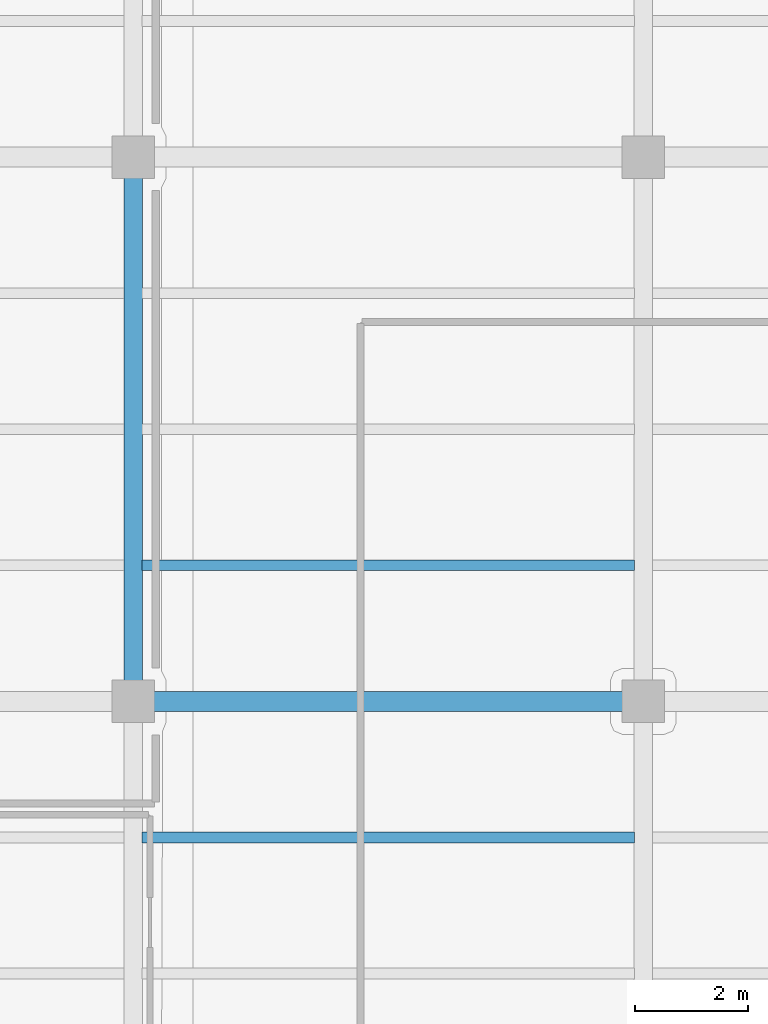
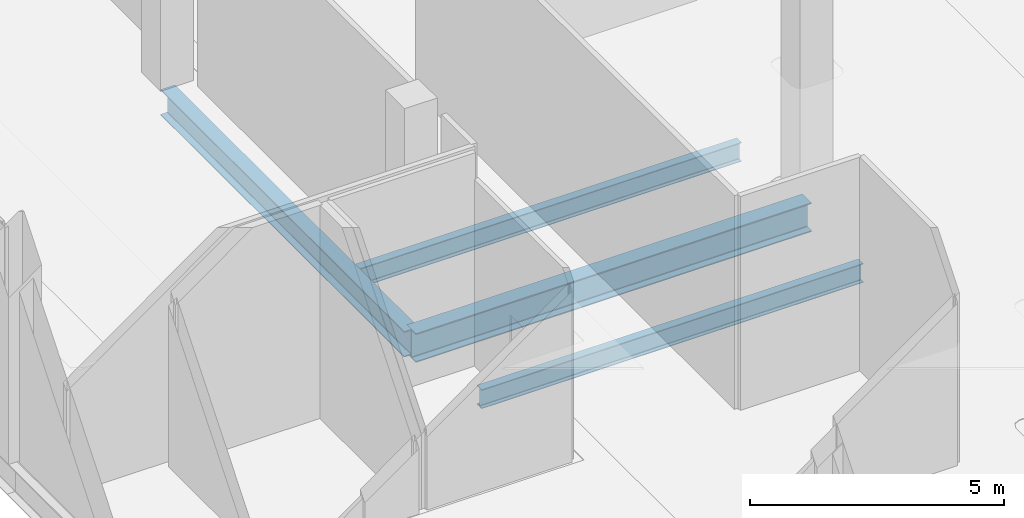
# One storey, part 4 of 47: 4 beams.
"""IFC4 building model written with IfcOpenShell, lengths in metres."""

from ifc_helpers import new_model, si_unit, direction, frame, origin, origin_2d, place, context, subcontext, project, spatial, i_section, extrude, material, material_profile, profile_set, type_object, element, save


model = new_model("IFC4")

# Units and contexts
model_context = context("Model", 3, precision=1e-05, world=origin(), true_north=direction((0.0, 1.0)))
body_context = subcontext(model_context, "Body", "Model", "MODEL_VIEW")
ifc_project = project(units=[si_unit("LENGTHUNIT", "METRE"), si_unit("AREAUNIT", "SQUARE_METRE"), si_unit("VOLUMEUNIT", "CUBIC_METRE"), si_unit("PLANEANGLEUNIT", "RADIAN"), si_unit("MASSUNIT", "GRAM", prefix="KILO")], contexts=[model_context])

# Site, building, storey
site_placement = place(None, origin())
site = spatial("IfcSite", under=ifc_project, at=site_placement, CompositionType="ELEMENT")
building_placement = place(site_placement, origin())
building = spatial("IfcBuilding", under=site, at=building_placement, Name="Qorvath Tower", CompositionType="ELEMENT")
storey_placement = place(building_placement, frame((0.0, 0.0, 6.60009765625)))
storey = spatial("IfcBuildingStorey", under=building, at=storey_placement, Name="L01", CompositionType="ELEMENT", Elevation=6.60009765625)

# Beams
ifc_material_1 = material(Name="Steel ASTM A992 Grade 50", Category="steel")
ifc_material_profile_1 = material_profile(ifc_material_1, i_section(OverallWidth=0.35595703125, OverallDepth=0.696044921875, WebThickness=0.015380859375, FlangeThickness=0.02490234375, FilletRadius=0.01806640625, at=origin_2d()), Name="W27x146")
ifc_profile_set_1 = profile_set([ifc_material_profile_1], Name="Steel ASTM A992 Grade 50")
beam_type_1 = type_object("IfcBeamType", Name="BM-FG4", PredefinedType="BEAM", material=ifc_profile_set_1)
beam_1_placement = place(storey_placement, frame((41.39990234375, -19.199951171875, -0.60791015625), z_axis=(1.0, 0.0, 0.0), x_axis=(0.0, 1.0, 0.0)))
element("IfcBeam", 1, at=beam_1_placement, inside=storey, type_object=beam_type_1, Name="Library E-W Girder L01-3-2", PredefinedType="BEAM", context=body_context, shape_type="SweptSolid", body=[
    extrude(i_section(OverallWidth=0.35595703125, OverallDepth=0.696044921875, WebThickness=0.015380859375, FlangeThickness=0.02490234375, FilletRadius=0.01806640625, at=origin_2d()), origin(), (0.0, 0.0, 1.0), 9.0),
])
ifc_material_2 = material(Name="Steel ASTM A992 Grade 50", Category="steel")
ifc_material_profile_2 = material_profile(ifc_material_2, i_section(OverallWidth=0.324951171875, OverallDepth=0.615966796875, WebThickness=0.013916015625, FlangeThickness=0.021484375, FilletRadius=0.01611328125, at=origin_2d()), Name="W24x117")
ifc_profile_set_2 = profile_set([ifc_material_profile_2], Name="Steel ASTM A992 Grade 50")
beam_type_2 = type_object("IfcBeamType", Name="BM-FG5", PredefinedType="BEAM", material=ifc_profile_set_2)
beam_2_placement = place(storey_placement, frame((41.39990234375, -19.199951171875, -0.568115234375), z_axis=(0.0, 1.0, 0.0), x_axis=(-1.0, 0.0, 0.0)))
element("IfcBeam", 2, at=beam_2_placement, inside=storey, type_object=beam_type_2, Name="Library N-S Girder L01-2-3", PredefinedType="BEAM", context=body_context, shape_type="SweptSolid", body=[
    extrude(i_section(OverallWidth=0.324951171875, OverallDepth=0.615966796875, WebThickness=0.013916015625, FlangeThickness=0.021484375, FilletRadius=0.01611328125, at=origin_2d()), origin(), (0.0, 0.0, 1.0), 9.599853515625),
])
ifc_material_3 = material(Name="Steel ASTM A992 Grade 50", Category="steel")
ifc_material_profile_3 = material_profile(ifc_material_3, i_section(OverallWidth=0.18994140625, OverallDepth=0.45703125, WebThickness=0.009033203125, FlangeThickness=0.014404296875, FilletRadius=0.011962890625, at=origin_2d()), Name="W18x50")
ifc_profile_set_3 = profile_set([ifc_material_profile_3], Name="Steel ASTM A992 Grade 50")
beam_type_3 = type_object("IfcBeamType", Name="BM-FJ2", PredefinedType="JOIST", material=ifc_profile_set_3)
for number, where, z_axis, x_axis, name in (
    (3, (41.560546875, -21.60009765625, -0.488525390625), (1.0, 0.0, 0.0), (0.0, 1.0, 0.0), "Library Stack Joist L01-2.3-2"),
    (4, (41.560546875, -16.800048828125, -0.488525390625), (1.0, 0.0, 0.0), (0.0, 1.0, 0.0), "Library Stack Joist L01-3.1-2"),
):
    element("IfcBeam", number, at=place(storey_placement, frame(where, z_axis=z_axis, x_axis=x_axis)), inside=storey, type_object=beam_type_3, Name=name, PredefinedType="JOIST", context=body_context, shape_type="SweptSolid", body=[
        extrude(i_section(OverallWidth=0.18994140625, OverallDepth=0.45703125, WebThickness=0.009033203125, FlangeThickness=0.014404296875, FilletRadius=0.011962890625, at=origin_2d()), origin(), (0.0, 0.0, 1.0), 8.678955078125),
    ])

save(model, "model.ifc")
